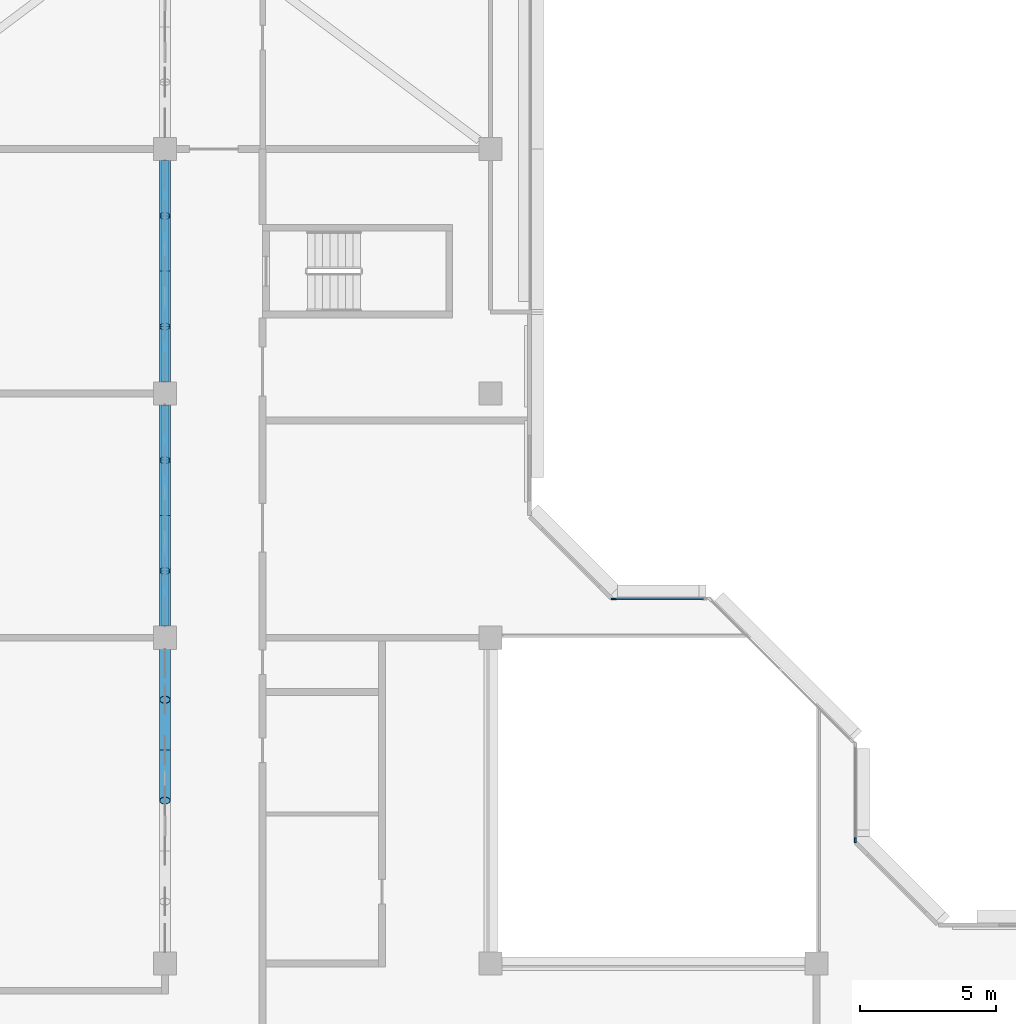
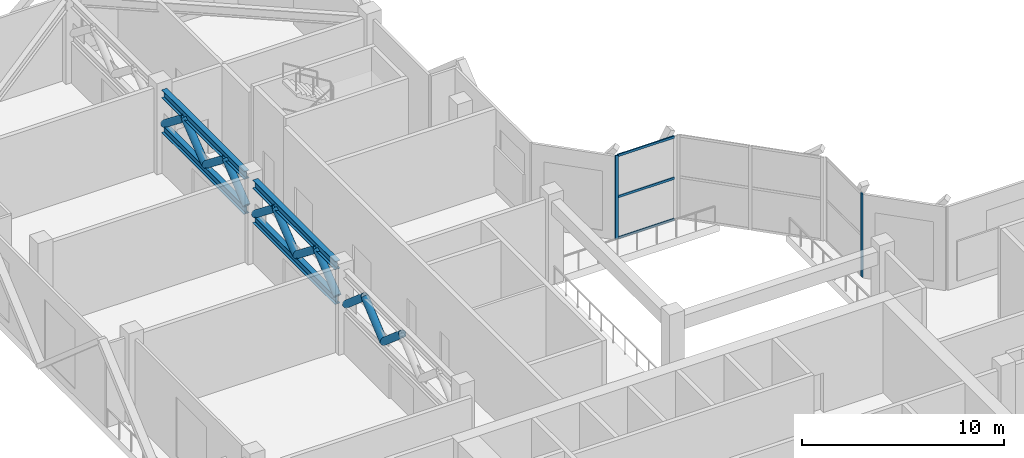
# One storey, part 2 of 14: 16 members, 4 beams, 2 elements without a shape of their own.
"""IFC4 building model written with IfcOpenShell, lengths in metres."""

from ifc_helpers import new_model, si_unit, direction, frame, origin, origin_2d, place, context, subcontext, project, spatial, rectangle, hollow_circle, i_section, extrude, material, layer, layer_set, material_profile, profile_set, type_object, element, aggregate, save


model = new_model("IFC4")

# Units and contexts
model_context = context("Model", 3, precision=1e-05, world=origin(), true_north=direction((0.0, 1.0)))
body_context = subcontext(model_context, "Body", "Model", "MODEL_VIEW")
ifc_project = project(units=[si_unit("LENGTHUNIT", "METRE"), si_unit("AREAUNIT", "SQUARE_METRE"), si_unit("VOLUMEUNIT", "CUBIC_METRE"), si_unit("PLANEANGLEUNIT", "RADIAN"), si_unit("MASSUNIT", "GRAM", prefix="KILO")], contexts=[model_context])

# Site, building, storey
site_placement = place(None, origin())
site = spatial("IfcSite", under=ifc_project, at=site_placement, CompositionType="ELEMENT")
building_placement = place(site_placement, origin())
building = spatial("IfcBuilding", under=site, at=building_placement, Name="Chenar Terraces", CompositionType="ELEMENT")
storey_placement = place(building_placement, frame((0.0, 0.0, 256.64990234375)))
storey = spatial("IfcBuildingStorey", under=building, at=storey_placement, Name="L61", CompositionType="ELEMENT", Elevation=256.64990234375)

# Curtain wall, member
ifc_material_1 = material(Name="Aluminium framed glazing", Category="aluminium")
ifc_layer = layer(ifc_material_1, 0.14990234375)
ifc_layer_set = layer_set([ifc_layer], Name="Aluminium framed glazing")
curtain_wall_type = type_object("IfcCurtainWallType", Name="Atrium mid-zone curtain wall", PredefinedType="NOTDEFINED", material=ifc_layer_set)
placement = place(storey_placement, origin())
curtain_wall_1 = element("IfcCurtainWall", 1, at=placement, inside=storey, type_object=curtain_wall_type, Name="Atrium mid-zone curtain wall", PredefinedType="NOTDEFINED")
ifc_material_2 = material(Name="Aluminium", Category="aluminium")
ifc_material_profile_1 = material_profile(ifc_material_2, rectangle(XDim=0.070068359375, YDim=0.179931640625, at=origin_2d()), Name="Atrium mid-zone glazing mullion 70 x 180")
ifc_profile_set_1 = profile_set([ifc_material_profile_1], Name="Aluminium")
member_type_1 = type_object("IfcMemberType", Name="Atrium mid-zone glazing mullion 70 x 180", PredefinedType="MULLION", material=ifc_profile_set_1)
member_1_placement = place(storey_placement, frame((37.425048828125, 28.534912109375, 0.0), z_axis=(0.0, 0.0, 1.0), x_axis=(-1.0, 0.0, 0.0)))
member_1 = element("IfcMember", 2, at=member_1_placement, type_object=member_type_1, Name="CW7-1 mullion 1", PredefinedType="MULLION", context=body_context, shape_type="SweptSolid", body=[
    extrude(rectangle(XDim=0.070068359375, YDim=0.179931640625, at=origin_2d()), origin(), (0.0, 0.0, 1.0), 5.050048828125),
])
aggregate(curtain_wall_1, [member_1])

# Curtain wall, members
curtain_wall_2 = element("IfcCurtainWall", 3, at=placement, inside=storey, type_object=curtain_wall_type, Name="Atrium mid-zone curtain wall", PredefinedType="NOTDEFINED")
member_2_placement = place(storey_placement, frame((28.534912109375, 37.425048828125, 0.0), z_axis=(0.0, 0.0, 1.0), x_axis=(0.0, -1.0, 0.0)))
member_2 = element("IfcMember", 4, at=member_2_placement, type_object=member_type_1, Name="CW7-3 mullion 2", PredefinedType="MULLION", context=body_context, shape_type="SweptSolid", body=[
    extrude(rectangle(XDim=0.070068359375, YDim=0.179931640625, at=origin_2d()), origin(), (0.0, 0.0, 1.0), 5.050048828125),
])
ifc_material_3 = material(Name="Aluminium", Category="aluminium")
ifc_material_profile_2 = material_profile(ifc_material_3, rectangle(XDim=0.070068359375, YDim=0.139892578125, at=origin_2d()), Name="Atrium mid-zone glazing transom 70 x 140")
ifc_profile_set_2 = profile_set([ifc_material_profile_2], Name="Aluminium")
member_type_2 = type_object("IfcMemberType", Name="Atrium mid-zone glazing transom 70 x 140", PredefinedType="USERDEFINED", material=ifc_profile_set_2)
member_3_placement = place(storey_placement, frame((31.830078125, 37.425048828125, 0.03515625), z_axis=(-1.0, 0.0, 0.0), x_axis=(0.0, -1.0, 0.0)))
member_3 = element("IfcMember", 5, at=member_3_placement, type_object=member_type_2, Name="CW7-3 transom 1.1", ObjectType="TRANSOM", PredefinedType="USERDEFINED", context=body_context, shape_type="SweptSolid", body=[
    extrude(rectangle(XDim=0.070068359375, YDim=0.139892578125, at=origin_2d()), origin(), (0.0, 0.0, 1.0), 3.260009765625),
])
member_4_placement = place(storey_placement, frame((31.830078125, 37.425048828125, 2.525146484375), z_axis=(-1.0, 0.0, 0.0), x_axis=(0.0, -1.0, 0.0)))
member_4 = element("IfcMember", 6, at=member_4_placement, type_object=member_type_2, Name="CW7-3 transom 1.2", ObjectType="TRANSOM", PredefinedType="USERDEFINED", context=body_context, shape_type="SweptSolid", body=[
    extrude(rectangle(XDim=0.070068359375, YDim=0.139892578125, at=origin_2d()), origin(), (0.0, 0.0, 1.0), 3.260009765625),
])
member_5_placement = place(storey_placement, frame((31.830078125, 37.425048828125, 5.01513671875), z_axis=(-1.0, 0.0, 0.0), x_axis=(0.0, -1.0, 0.0)))
member_5 = element("IfcMember", 7, at=member_5_placement, type_object=member_type_2, Name="CW7-3 transom 1.3", ObjectType="TRANSOM", PredefinedType="USERDEFINED", context=body_context, shape_type="SweptSolid", body=[
    extrude(rectangle(XDim=0.070068359375, YDim=0.139892578125, at=origin_2d()), origin(), (0.0, 0.0, 1.0), 3.260009765625),
])
aggregate(curtain_wall_2, [member_2, member_3, member_4, member_5])

# Beams
ifc_material_4 = material(Name="Structural steel S355", Category="steel")
ifc_material_profile_3 = material_profile(ifc_material_4, i_section(OverallWidth=0.300048828125, OverallDepth=0.5, WebThickness=0.014404296875, FlangeThickness=0.028076171875, FilletRadius=0.027099609375, at=origin_2d()), Name="HEB 500")
ifc_profile_set_3 = profile_set([ifc_material_profile_3], Name="Structural steel S355")
beam_type = type_object("IfcBeamType", Name="Belt truss chord HEB 500 S355", PredefinedType="BEAM", material=ifc_profile_set_3)
for number, where, z_axis, x_axis, name in (
    (8, (12.0, 36.425048828125, 4.800048828125), (0.0, 1.0, 0.0), (-1.0, 0.0, 0.0), "Belt truss L61 B2 top chord"),
    (9, (12.0, 36.425048828125, 2.7001953125), (0.0, 1.0, 0.0), (-1.0, 0.0, 0.0), "Belt truss L61 B2 bottom chord"),
    (10, (12.0, 45.425048828125, 4.800048828125), (0.0, 1.0, 0.0), (-1.0, 0.0, 0.0), "Belt truss L61 B3 top chord"),
    (11, (12.0, 45.425048828125, 2.7001953125), (0.0, 1.0, 0.0), (-1.0, 0.0, 0.0), "Belt truss L61 B3 bottom chord"),
):
    element("IfcBeam", number, at=place(storey_placement, frame(where, z_axis=z_axis, x_axis=x_axis)), inside=storey, type_object=beam_type, Name=name, PredefinedType="BEAM", context=body_context, shape_type="SweptSolid", body=[
        extrude(i_section(OverallWidth=0.300048828125, OverallDepth=0.5, WebThickness=0.014404296875, FlangeThickness=0.028076171875, FilletRadius=0.027099609375, at=origin_2d()), origin(), (0.0, 0.0, 1.0), 8.14990234375),
    ])

# Members
ifc_material_5 = material(Name="Structural steel S355", Category="steel")
ifc_material_profile_4 = material_profile(ifc_material_5, hollow_circle(Radius=0.203125, WallThickness=0.01611328125, at=origin_2d()), Name="CHS 406.4x16")
ifc_profile_set_4 = profile_set([ifc_material_profile_4], Name="Structural steel S355")
member_type_3 = type_object("IfcMemberType", Name="Belt truss diagonal CHS 406.4x16 S355", PredefinedType="BRACE", material=ifc_profile_set_4)
for number, where, z_axis, x_axis, name in (
    (12, (12.0, 30.0, 4.550048828125), (0.0, 0.757856313702, -0.652421495493), (-1.0, 0.0, 0.0), "Belt truss L61 B1 diagonal 4"),
    (13, (12.0, 31.8583984375, 2.9501953125), (0.0, 0.757856313702, 0.652421495493), (-1.0, 0.0, 0.0), "Belt truss L61 B1 diagonal 5"),
):
    element("IfcMember", number, at=place(storey_placement, frame(where, z_axis=z_axis, x_axis=x_axis)), inside=storey, type_object=member_type_3, Name=name, PredefinedType="BRACE", context=body_context, shape_type="SweptSolid", body=[
        extrude(hollow_circle(Radius=0.203125, WallThickness=0.01611328125, at=origin_2d()), origin(), (0.0, 0.0, 1.0), 2.4521484375),
    ])
member_6_placement = place(storey_placement, frame((12.0, 33.716796875, 4.550048828125), z_axis=(0.0, 0.7578139305, -0.652470724815), x_axis=(-1.0, 0.0, 0.0)))
element("IfcMember", 14, at=member_6_placement, inside=storey, type_object=member_type_3, Name="Belt truss L61 B1 diagonal 6", PredefinedType="BRACE", context=body_context, shape_type="SweptSolid", body=[
    extrude(hollow_circle(Radius=0.203125, WallThickness=0.01611328125, at=origin_2d()), origin(), (0.0, 0.0, 1.0), 2.451904296875),
])
member_7_placement = place(storey_placement, frame((12.0, 36.425048828125, 2.9501953125), z_axis=(0.0, 0.786491639204, 0.617600924111), x_axis=(-1.0, 0.0, 0.0)))
element("IfcMember", 15, at=member_7_placement, inside=storey, type_object=member_type_3, Name="Belt truss L61 B2 diagonal 1", PredefinedType="BRACE", context=body_context, shape_type="SweptSolid", body=[
    extrude(hollow_circle(Radius=0.203125, WallThickness=0.01611328125, at=origin_2d()), origin(), (0.0, 0.0, 1.0), 2.59033203125),
])
for number, where, z_axis, x_axis, name in (
    (16, (12.0, 38.46240234375, 4.550048828125), (0.0, 0.786527583945, -0.617555147087), (-1.0, 0.0, 0.0), "Belt truss L61 B2 diagonal 2"),
    (17, (12.0, 40.5, 2.9501953125), (0.0, 0.786527583945, 0.617555147087), (-1.0, 0.0, 0.0), "Belt truss L61 B2 diagonal 3"),
):
    element("IfcMember", number, at=place(storey_placement, frame(where, z_axis=z_axis, x_axis=x_axis)), inside=storey, type_object=member_type_3, Name=name, PredefinedType="BRACE", context=body_context, shape_type="SweptSolid", body=[
        extrude(hollow_circle(Radius=0.203125, WallThickness=0.01611328125, at=origin_2d()), origin(), (0.0, 0.0, 1.0), 2.590576171875),
    ])
for number, where, z_axis, x_axis, name in (
    (18, (12.0, 42.53759765625, 4.550048828125), (0.0, 0.786491639204, -0.617600924111), (-1.0, 0.0, 0.0), "Belt truss L61 B2 diagonal 4"),
    (19, (12.0, 45.425048828125, 2.9501953125), (0.0, 0.786491639204, 0.617600924111), (-1.0, 0.0, 0.0), "Belt truss L61 B3 diagonal 1"),
):
    element("IfcMember", number, at=place(storey_placement, frame(where, z_axis=z_axis, x_axis=x_axis)), inside=storey, type_object=member_type_3, Name=name, PredefinedType="BRACE", context=body_context, shape_type="SweptSolid", body=[
        extrude(hollow_circle(Radius=0.203125, WallThickness=0.01611328125, at=origin_2d()), origin(), (0.0, 0.0, 1.0), 2.59033203125),
    ])
for number, where, z_axis, x_axis, name in (
    (20, (12.0, 47.46240234375, 4.550048828125), (0.0, 0.786527583945, -0.617555147087), (-1.0, 0.0, 0.0), "Belt truss L61 B3 diagonal 2"),
    (21, (12.0, 49.5, 2.9501953125), (0.0, 0.786527583945, 0.617555147087), (-1.0, 0.0, 0.0), "Belt truss L61 B3 diagonal 3"),
):
    element("IfcMember", number, at=place(storey_placement, frame(where, z_axis=z_axis, x_axis=x_axis)), inside=storey, type_object=member_type_3, Name=name, PredefinedType="BRACE", context=body_context, shape_type="SweptSolid", body=[
        extrude(hollow_circle(Radius=0.203125, WallThickness=0.01611328125, at=origin_2d()), origin(), (0.0, 0.0, 1.0), 2.590576171875),
    ])
member_8_placement = place(storey_placement, frame((12.0, 51.53759765625, 4.550048828125), z_axis=(0.0, 0.786491639204, -0.617600924111), x_axis=(-1.0, 0.0, 0.0)))
element("IfcMember", 22, at=member_8_placement, inside=storey, type_object=member_type_3, Name="Belt truss L61 B3 diagonal 4", PredefinedType="BRACE", context=body_context, shape_type="SweptSolid", body=[
    extrude(hollow_circle(Radius=0.203125, WallThickness=0.01611328125, at=origin_2d()), origin(), (0.0, 0.0, 1.0), 2.59033203125),
])

save(model, "model.ifc")
